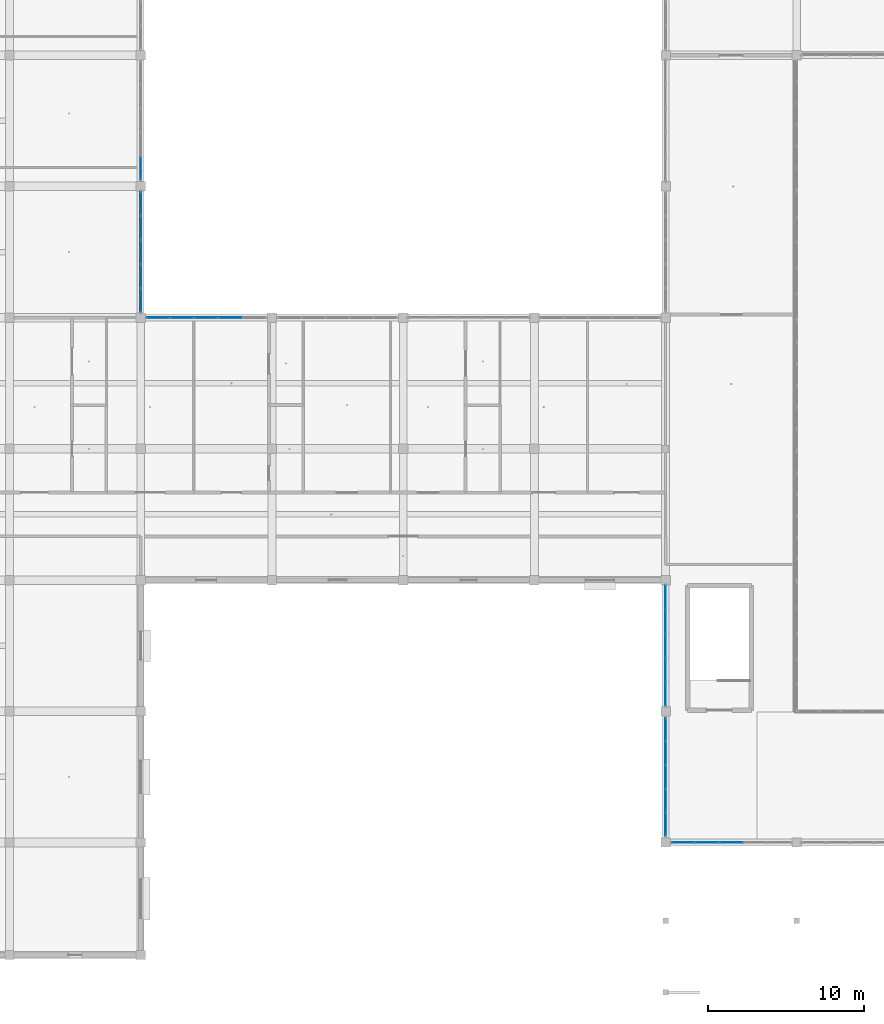
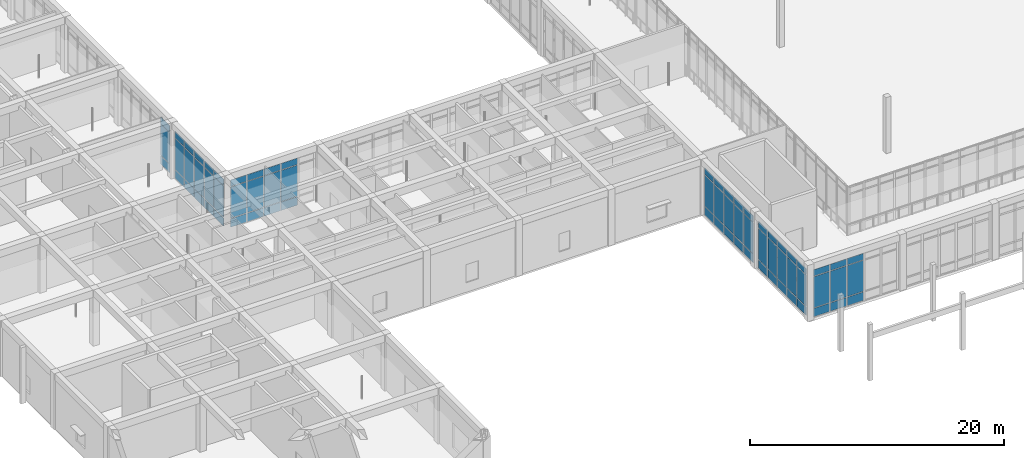
# One storey, part 55 of 157: 69 plates, 6 elements without a shape of their own.
"""IFC4 building model written with IfcOpenShell, lengths in metres."""

from ifc_helpers import new_model, si_unit, direction, frame, origin, origin_2d, place, context, subcontext, project, spatial, rectangle, extrude, material, layer, layer_set, type_object, element, aggregate, save


model = new_model("IFC4")

# Units and contexts
model_context = context("Model", 3, precision=1e-05, world=origin(), true_north=direction((0.0, 1.0)))
body_context = subcontext(model_context, "Body", "Model", "MODEL_VIEW")
ifc_project = project(units=[si_unit("LENGTHUNIT", "METRE"), si_unit("AREAUNIT", "SQUARE_METRE"), si_unit("VOLUMEUNIT", "CUBIC_METRE"), si_unit("PLANEANGLEUNIT", "RADIAN"), si_unit("MASSUNIT", "GRAM", prefix="KILO")], contexts=[model_context])

# Site, building, storey
site_placement = place(None, origin())
site = spatial("IfcSite", under=ifc_project, at=site_placement, CompositionType="ELEMENT")
building_placement = place(site_placement, origin())
building = spatial("IfcBuilding", under=site, at=building_placement, Name="Varncliffe General Hospital", CompositionType="ELEMENT")
storey_placement = place(building_placement, frame((0.0, 0.0, 5.39990234375)))
storey = spatial("IfcBuildingStorey", under=building, at=storey_placement, Name="L01", CompositionType="ELEMENT", Elevation=5.39990234375)

# Curtain wall, plates
ifc_material = material(Name="Triple low-E argon insulated vision glazing", Category="glass")
curtain_wall_type_1 = type_object("IfcCurtainWallType", Name="Unitised Glazed Curtain Wall CW70 (7724x4640)", PredefinedType="USERDEFINED", material=ifc_material)
curtain_wall_1_placement = place(storey_placement, origin())
curtain_wall_1 = element("IfcCurtainWall", 1, at=curtain_wall_1_placement, inside=storey, type_object=curtain_wall_type_1, Name="L01 Glazed Curtain Wall CW70-52", ObjectType="GLAZED CURTAIN WALL", PredefinedType="USERDEFINED")
ifc_layer_1 = layer(ifc_material, 0.0439453125)
ifc_layer_set_1 = layer_set([ifc_layer_1], Name="Triple low-E argon insulated vision glazing")
plate_type_1 = type_object("IfcPlateType", Name="Curtain Wall Glazing Panel CP12 (44mm)", PredefinedType="CURTAIN_PANEL", material=ifc_layer_set_1)
plate_1_placement = place(storey_placement, frame((63.0, 7.199951171875, 0.06005859375), z_axis=(0.0, 0.0, 1.0), x_axis=(-1.0, 0.0, 0.0)))
plate_1 = element("IfcPlate", 2, at=plate_1_placement, type_object=plate_type_1, Name="CW70 panel 3.1", PredefinedType="CURTAIN_PANEL", context=body_context, shape_type="SweptSolid", body=[
    extrude(rectangle(XDim=1.4697265625, YDim=0.0439453125, at=origin_2d()), origin(), (0.0, 0.0, 1.0), 0.81005859375),
])
plate_2_placement = place(storey_placement, frame((63.0, 7.199951171875, 0.93017578125), z_axis=(0.0, 0.0, 1.0), x_axis=(-1.0, 0.0, 0.0)))
plate_2 = element("IfcPlate", 3, at=plate_2_placement, type_object=plate_type_1, Name="CW70 panel 3.2", PredefinedType="CURTAIN_PANEL", context=body_context, shape_type="SweptSolid", body=[
    extrude(rectangle(XDim=1.4697265625, YDim=0.0439453125, at=origin_2d()), origin(), (0.0, 0.0, 1.0), 2.97998046875),
])
plate_3_placement = place(storey_placement, frame((63.0, 7.199951171875, 3.97021484375), z_axis=(0.0, 0.0, 1.0), x_axis=(-1.0, 0.0, 0.0)))
plate_3 = element("IfcPlate", 4, at=plate_3_placement, type_object=plate_type_1, Name="CW70 panel 3.3", PredefinedType="CURTAIN_PANEL", context=body_context, shape_type="SweptSolid", body=[
    extrude(rectangle(XDim=1.4697265625, YDim=0.0439453125, at=origin_2d()), origin(), (0.0, 0.0, 1.0), 0.610107421875),
])
plate_4_placement = place(storey_placement, frame((61.455078125, 7.199951171875, 0.06005859375), z_axis=(0.0, 0.0, 1.0), x_axis=(-1.0, 0.0, 0.0)))
plate_4 = element("IfcPlate", 5, at=plate_4_placement, type_object=plate_type_1, Name="CW70 panel 4.1", PredefinedType="CURTAIN_PANEL", context=body_context, shape_type="SweptSolid", body=[
    extrude(rectangle(XDim=1.4697265625, YDim=0.0439453125, at=origin_2d()), origin(), (0.0, 0.0, 1.0), 0.81005859375),
])
plate_5_placement = place(storey_placement, frame((61.455078125, 7.199951171875, 0.93017578125), z_axis=(0.0, 0.0, 1.0), x_axis=(-1.0, 0.0, 0.0)))
plate_5 = element("IfcPlate", 6, at=plate_5_placement, type_object=plate_type_1, Name="CW70 panel 4.2", PredefinedType="CURTAIN_PANEL", context=body_context, shape_type="SweptSolid", body=[
    extrude(rectangle(XDim=1.4697265625, YDim=0.0439453125, at=origin_2d()), origin(), (0.0, 0.0, 1.0), 2.97998046875),
])
plate_6_placement = place(storey_placement, frame((61.455078125, 7.199951171875, 3.97021484375), z_axis=(0.0, 0.0, 1.0), x_axis=(-1.0, 0.0, 0.0)))
plate_6 = element("IfcPlate", 7, at=plate_6_placement, type_object=plate_type_1, Name="CW70 panel 4.3", PredefinedType="CURTAIN_PANEL", context=body_context, shape_type="SweptSolid", body=[
    extrude(rectangle(XDim=1.4697265625, YDim=0.0439453125, at=origin_2d()), origin(), (0.0, 0.0, 1.0), 0.610107421875),
])
plate_7_placement = place(storey_placement, frame((59.92919921875, 7.199951171875, 0.06005859375), z_axis=(0.0, 0.0, 1.0), x_axis=(-1.0, 0.0, 0.0)))
plate_7 = element("IfcPlate", 8, at=plate_7_placement, type_object=plate_type_1, Name="CW70 panel 5.1", PredefinedType="CURTAIN_PANEL", context=body_context, shape_type="SweptSolid", body=[
    extrude(rectangle(XDim=1.432373046875, YDim=0.0439453125, at=origin_2d()), origin(), (0.0, 0.0, 1.0), 0.81005859375),
])
plate_8_placement = place(storey_placement, frame((59.92919921875, 7.199951171875, 0.93017578125), z_axis=(0.0, 0.0, 1.0), x_axis=(-1.0, 0.0, 0.0)))
plate_8 = element("IfcPlate", 9, at=plate_8_placement, type_object=plate_type_1, Name="CW70 panel 5.2", PredefinedType="CURTAIN_PANEL", context=body_context, shape_type="SweptSolid", body=[
    extrude(rectangle(XDim=1.432373046875, YDim=0.0439453125, at=origin_2d()), origin(), (0.0, 0.0, 1.0), 2.97998046875),
])
plate_9_placement = place(storey_placement, frame((59.92919921875, 7.199951171875, 3.97021484375), z_axis=(0.0, 0.0, 1.0), x_axis=(-1.0, 0.0, 0.0)))
plate_9 = element("IfcPlate", 10, at=plate_9_placement, type_object=plate_type_1, Name="CW70 panel 5.3", PredefinedType="CURTAIN_PANEL", context=body_context, shape_type="SweptSolid", body=[
    extrude(rectangle(XDim=1.432373046875, YDim=0.0439453125, at=origin_2d()), origin(), (0.0, 0.0, 1.0), 0.610107421875),
])
aggregate(curtain_wall_1, [plate_1, plate_2, plate_3, plate_4, plate_5, plate_6, plate_7, plate_8, plate_9])

curtain_wall_2_placement = place(storey_placement, origin())
curtain_wall_2 = element("IfcCurtainWall", 11, at=curtain_wall_2_placement, inside=storey, type_object=curtain_wall_type_1, Name="L01 Glazed Curtain Wall CW70-82", ObjectType="GLAZED CURTAIN WALL", PredefinedType="USERDEFINED")
plate_10_placement = place(storey_placement, frame((26.3291015625, 40.800048828125, 0.06005859375), z_axis=(0.0, 0.0, 1.0), x_axis=(1.0, 0.0, 0.0)))
plate_10 = element("IfcPlate", 12, at=plate_10_placement, type_object=plate_type_1, Name="CW70 panel 1.1", PredefinedType="CURTAIN_PANEL", context=body_context, shape_type="SweptSolid", body=[
    extrude(rectangle(XDim=1.432373046875, YDim=0.0439453125, at=origin_2d()), origin(), (0.0, 0.0, 1.0), 0.81005859375),
])
plate_11_placement = place(storey_placement, frame((26.3291015625, 40.800048828125, 0.93017578125), z_axis=(0.0, 0.0, 1.0), x_axis=(1.0, 0.0, 0.0)))
plate_11 = element("IfcPlate", 13, at=plate_11_placement, type_object=plate_type_1, Name="CW70 panel 1.2", PredefinedType="CURTAIN_PANEL", context=body_context, shape_type="SweptSolid", body=[
    extrude(rectangle(XDim=1.432373046875, YDim=0.0439453125, at=origin_2d()), origin(), (0.0, 0.0, 1.0), 2.97998046875),
])
plate_12_placement = place(storey_placement, frame((26.3291015625, 40.800048828125, 3.97021484375), z_axis=(0.0, 0.0, 1.0), x_axis=(1.0, 0.0, 0.0)))
plate_12 = element("IfcPlate", 14, at=plate_12_placement, type_object=plate_type_1, Name="CW70 panel 1.3", PredefinedType="CURTAIN_PANEL", context=body_context, shape_type="SweptSolid", body=[
    extrude(rectangle(XDim=1.432373046875, YDim=0.0439453125, at=origin_2d()), origin(), (0.0, 0.0, 1.0), 0.610107421875),
])
plate_13_placement = place(storey_placement, frame((27.855224609375, 40.800048828125, 0.06005859375), z_axis=(0.0, 0.0, 1.0), x_axis=(1.0, 0.0, 0.0)))
plate_13 = element("IfcPlate", 15, at=plate_13_placement, type_object=plate_type_1, Name="CW70 panel 2.1", PredefinedType="CURTAIN_PANEL", context=body_context, shape_type="SweptSolid", body=[
    extrude(rectangle(XDim=1.4697265625, YDim=0.0439453125, at=origin_2d()), origin(), (0.0, 0.0, 1.0), 0.81005859375),
])
plate_14_placement = place(storey_placement, frame((27.855224609375, 40.800048828125, 0.93017578125), z_axis=(0.0, 0.0, 1.0), x_axis=(1.0, 0.0, 0.0)))
plate_14 = element("IfcPlate", 16, at=plate_14_placement, type_object=plate_type_1, Name="CW70 panel 2.2", PredefinedType="CURTAIN_PANEL", context=body_context, shape_type="SweptSolid", body=[
    extrude(rectangle(XDim=1.4697265625, YDim=0.0439453125, at=origin_2d()), origin(), (0.0, 0.0, 1.0), 2.97998046875),
])
plate_15_placement = place(storey_placement, frame((27.855224609375, 40.800048828125, 3.97021484375), z_axis=(0.0, 0.0, 1.0), x_axis=(1.0, 0.0, 0.0)))
plate_15 = element("IfcPlate", 17, at=plate_15_placement, type_object=plate_type_1, Name="CW70 panel 2.3", PredefinedType="CURTAIN_PANEL", context=body_context, shape_type="SweptSolid", body=[
    extrude(rectangle(XDim=1.4697265625, YDim=0.0439453125, at=origin_2d()), origin(), (0.0, 0.0, 1.0), 0.610107421875),
])
plate_16_placement = place(storey_placement, frame((29.39990234375, 40.800048828125, 0.06005859375), z_axis=(0.0, 0.0, 1.0), x_axis=(1.0, 0.0, 0.0)))
plate_16 = element("IfcPlate", 18, at=plate_16_placement, type_object=plate_type_1, Name="CW70 panel 3.1", PredefinedType="CURTAIN_PANEL", context=body_context, shape_type="SweptSolid", body=[
    extrude(rectangle(XDim=1.4697265625, YDim=0.0439453125, at=origin_2d()), origin(), (0.0, 0.0, 1.0), 0.81005859375),
])
plate_17_placement = place(storey_placement, frame((29.39990234375, 40.800048828125, 0.93017578125), z_axis=(0.0, 0.0, 1.0), x_axis=(1.0, 0.0, 0.0)))
plate_17 = element("IfcPlate", 19, at=plate_17_placement, type_object=plate_type_1, Name="CW70 panel 3.2", PredefinedType="CURTAIN_PANEL", context=body_context, shape_type="SweptSolid", body=[
    extrude(rectangle(XDim=1.4697265625, YDim=0.0439453125, at=origin_2d()), origin(), (0.0, 0.0, 1.0), 2.97998046875),
])
plate_18_placement = place(storey_placement, frame((29.39990234375, 40.800048828125, 3.97021484375), z_axis=(0.0, 0.0, 1.0), x_axis=(1.0, 0.0, 0.0)))
plate_18 = element("IfcPlate", 20, at=plate_18_placement, type_object=plate_type_1, Name="CW70 panel 3.3", PredefinedType="CURTAIN_PANEL", context=body_context, shape_type="SweptSolid", body=[
    extrude(rectangle(XDim=1.4697265625, YDim=0.0439453125, at=origin_2d()), origin(), (0.0, 0.0, 1.0), 0.610107421875),
])
plate_19_placement = place(storey_placement, frame((30.94482421875, 40.800048828125, 0.06005859375), z_axis=(0.0, 0.0, 1.0), x_axis=(1.0, 0.0, 0.0)))
plate_19 = element("IfcPlate", 21, at=plate_19_placement, type_object=plate_type_1, Name="CW70 panel 4.1", PredefinedType="CURTAIN_PANEL", context=body_context, shape_type="SweptSolid", body=[
    extrude(rectangle(XDim=1.4697265625, YDim=0.0439453125, at=origin_2d()), origin(), (0.0, 0.0, 1.0), 0.81005859375),
])
plate_20_placement = place(storey_placement, frame((30.94482421875, 40.800048828125, 0.93017578125), z_axis=(0.0, 0.0, 1.0), x_axis=(1.0, 0.0, 0.0)))
plate_20 = element("IfcPlate", 22, at=plate_20_placement, type_object=plate_type_1, Name="CW70 panel 4.2", PredefinedType="CURTAIN_PANEL", context=body_context, shape_type="SweptSolid", body=[
    extrude(rectangle(XDim=1.4697265625, YDim=0.0439453125, at=origin_2d()), origin(), (0.0, 0.0, 1.0), 2.97998046875),
])
plate_21_placement = place(storey_placement, frame((30.94482421875, 40.800048828125, 3.97021484375), z_axis=(0.0, 0.0, 1.0), x_axis=(1.0, 0.0, 0.0)))
plate_21 = element("IfcPlate", 23, at=plate_21_placement, type_object=plate_type_1, Name="CW70 panel 4.3", PredefinedType="CURTAIN_PANEL", context=body_context, shape_type="SweptSolid", body=[
    extrude(rectangle(XDim=1.4697265625, YDim=0.0439453125, at=origin_2d()), origin(), (0.0, 0.0, 1.0), 0.610107421875),
])
aggregate(curtain_wall_2, [plate_10, plate_11, plate_12, plate_13, plate_14, plate_15, plate_16, plate_17, plate_18, plate_19, plate_20, plate_21])

curtain_wall_type_2 = type_object("IfcCurtainWallType", Name="Unitised Glazed Curtain Wall CW85 (7804x4640)", PredefinedType="USERDEFINED", material=ifc_material)
curtain_wall_3_placement = place(storey_placement, origin())
curtain_wall_3 = element("IfcCurtainWall", 24, at=curtain_wall_3_placement, inside=storey, type_object=curtain_wall_type_2, Name="L01 Glazed Curtain Wall CW85-54", ObjectType="GLAZED CURTAIN WALL", PredefinedType="USERDEFINED")
ifc_layer_2 = layer(ifc_material, 0.035888671875)
ifc_layer_set_2 = layer_set([ifc_layer_2], Name="Triple low-E argon insulated vision glazing")
plate_type_2 = type_object("IfcPlateType", Name="Curtain Wall Glazing Panel CP27 (36mm)", PredefinedType="CURTAIN_PANEL", material=ifc_layer_set_2)
plate_22_placement = place(storey_placement, frame((58.800048828125, 16.697265625, 0.06494140625), z_axis=(0.0, 0.0, 1.0), x_axis=(0.0, 1.0, 0.0)))
plate_22 = element("IfcPlate", 25, at=plate_22_placement, type_object=plate_type_2, Name="CW85 panel 1.1", PredefinedType="CURTAIN_PANEL", context=body_context, shape_type="SweptSolid", body=[
    extrude(rectangle(XDim=1.4482421875, YDim=0.035888671875, at=origin_2d()), origin(), (0.0, 0.0, 1.0), 0.802490234375),
])
plate_23_placement = place(storey_placement, frame((58.800048828125, 16.697265625, 0.9326171875), z_axis=(0.0, 0.0, 1.0), x_axis=(0.0, 1.0, 0.0)))
plate_23 = element("IfcPlate", 26, at=plate_23_placement, type_object=plate_type_2, Name="CW85 panel 1.2", PredefinedType="CURTAIN_PANEL", context=body_context, shape_type="SweptSolid", body=[
    extrude(rectangle(XDim=1.4482421875, YDim=0.035888671875, at=origin_2d()), origin(), (0.0, 0.0, 1.0), 2.97509765625),
])
plate_24_placement = place(storey_placement, frame((58.800048828125, 16.697265625, 3.97265625), z_axis=(0.0, 0.0, 1.0), x_axis=(0.0, 1.0, 0.0)))
plate_24 = element("IfcPlate", 27, at=plate_24_placement, type_object=plate_type_2, Name="CW85 panel 1.3", PredefinedType="CURTAIN_PANEL", context=body_context, shape_type="SweptSolid", body=[
    extrude(rectangle(XDim=1.4482421875, YDim=0.035888671875, at=origin_2d()), origin(), (0.0, 0.0, 1.0), 0.6025390625),
])
plate_25_placement = place(storey_placement, frame((58.800048828125, 18.2392578125, 0.06494140625), z_axis=(0.0, 0.0, 1.0), x_axis=(0.0, 1.0, 0.0)))
plate_25 = element("IfcPlate", 28, at=plate_25_placement, type_object=plate_type_2, Name="CW85 panel 2.1", PredefinedType="CURTAIN_PANEL", context=body_context, shape_type="SweptSolid", body=[
    extrude(rectangle(XDim=1.48583984375, YDim=0.035888671875, at=origin_2d()), origin(), (0.0, 0.0, 1.0), 0.802490234375),
])
plate_26_placement = place(storey_placement, frame((58.800048828125, 18.2392578125, 0.9326171875), z_axis=(0.0, 0.0, 1.0), x_axis=(0.0, 1.0, 0.0)))
plate_26 = element("IfcPlate", 29, at=plate_26_placement, type_object=plate_type_2, Name="CW85 panel 2.2", PredefinedType="CURTAIN_PANEL", context=body_context, shape_type="SweptSolid", body=[
    extrude(rectangle(XDim=1.48583984375, YDim=0.035888671875, at=origin_2d()), origin(), (0.0, 0.0, 1.0), 2.97509765625),
])
plate_27_placement = place(storey_placement, frame((58.800048828125, 18.2392578125, 3.97265625), z_axis=(0.0, 0.0, 1.0), x_axis=(0.0, 1.0, 0.0)))
plate_27 = element("IfcPlate", 30, at=plate_27_placement, type_object=plate_type_2, Name="CW85 panel 2.3", PredefinedType="CURTAIN_PANEL", context=body_context, shape_type="SweptSolid", body=[
    extrude(rectangle(XDim=1.48583984375, YDim=0.035888671875, at=origin_2d()), origin(), (0.0, 0.0, 1.0), 0.6025390625),
])
plate_28_placement = place(storey_placement, frame((58.800048828125, 19.800048828125, 0.06494140625), z_axis=(0.0, 0.0, 1.0), x_axis=(0.0, 1.0, 0.0)))
plate_28 = element("IfcPlate", 31, at=plate_28_placement, type_object=plate_type_2, Name="CW85 panel 3.1", PredefinedType="CURTAIN_PANEL", context=body_context, shape_type="SweptSolid", body=[
    extrude(rectangle(XDim=1.48583984375, YDim=0.035888671875, at=origin_2d()), origin(), (0.0, 0.0, 1.0), 0.802490234375),
])
plate_29_placement = place(storey_placement, frame((58.800048828125, 19.800048828125, 0.9326171875), z_axis=(0.0, 0.0, 1.0), x_axis=(0.0, 1.0, 0.0)))
plate_29 = element("IfcPlate", 32, at=plate_29_placement, type_object=plate_type_2, Name="CW85 panel 3.2", PredefinedType="CURTAIN_PANEL", context=body_context, shape_type="SweptSolid", body=[
    extrude(rectangle(XDim=1.48583984375, YDim=0.035888671875, at=origin_2d()), origin(), (0.0, 0.0, 1.0), 2.97509765625),
])
plate_30_placement = place(storey_placement, frame((58.800048828125, 19.800048828125, 3.97265625), z_axis=(0.0, 0.0, 1.0), x_axis=(0.0, 1.0, 0.0)))
plate_30 = element("IfcPlate", 33, at=plate_30_placement, type_object=plate_type_2, Name="CW85 panel 3.3", PredefinedType="CURTAIN_PANEL", context=body_context, shape_type="SweptSolid", body=[
    extrude(rectangle(XDim=1.48583984375, YDim=0.035888671875, at=origin_2d()), origin(), (0.0, 0.0, 1.0), 0.6025390625),
])
plate_31_placement = place(storey_placement, frame((58.800048828125, 21.36083984375, 0.06494140625), z_axis=(0.0, 0.0, 1.0), x_axis=(0.0, 1.0, 0.0)))
plate_31 = element("IfcPlate", 34, at=plate_31_placement, type_object=plate_type_2, Name="CW85 panel 4.1", PredefinedType="CURTAIN_PANEL", context=body_context, shape_type="SweptSolid", body=[
    extrude(rectangle(XDim=1.48583984375, YDim=0.035888671875, at=origin_2d()), origin(), (0.0, 0.0, 1.0), 0.802490234375),
])
plate_32_placement = place(storey_placement, frame((58.800048828125, 21.36083984375, 0.9326171875), z_axis=(0.0, 0.0, 1.0), x_axis=(0.0, 1.0, 0.0)))
plate_32 = element("IfcPlate", 35, at=plate_32_placement, type_object=plate_type_2, Name="CW85 panel 4.2", PredefinedType="CURTAIN_PANEL", context=body_context, shape_type="SweptSolid", body=[
    extrude(rectangle(XDim=1.48583984375, YDim=0.035888671875, at=origin_2d()), origin(), (0.0, 0.0, 1.0), 2.97509765625),
])
plate_33_placement = place(storey_placement, frame((58.800048828125, 21.36083984375, 3.97265625), z_axis=(0.0, 0.0, 1.0), x_axis=(0.0, 1.0, 0.0)))
plate_33 = element("IfcPlate", 36, at=plate_33_placement, type_object=plate_type_2, Name="CW85 panel 4.3", PredefinedType="CURTAIN_PANEL", context=body_context, shape_type="SweptSolid", body=[
    extrude(rectangle(XDim=1.48583984375, YDim=0.035888671875, at=origin_2d()), origin(), (0.0, 0.0, 1.0), 0.6025390625),
])
plate_34_placement = place(storey_placement, frame((58.800048828125, 22.90283203125, 0.06494140625), z_axis=(0.0, 0.0, 1.0), x_axis=(0.0, 1.0, 0.0)))
plate_34 = element("IfcPlate", 37, at=plate_34_placement, type_object=plate_type_2, Name="CW85 panel 5.1", PredefinedType="CURTAIN_PANEL", context=body_context, shape_type="SweptSolid", body=[
    extrude(rectangle(XDim=1.4482421875, YDim=0.035888671875, at=origin_2d()), origin(), (0.0, 0.0, 1.0), 0.802490234375),
])
plate_35_placement = place(storey_placement, frame((58.800048828125, 22.90283203125, 0.9326171875), z_axis=(0.0, 0.0, 1.0), x_axis=(0.0, 1.0, 0.0)))
plate_35 = element("IfcPlate", 38, at=plate_35_placement, type_object=plate_type_2, Name="CW85 panel 5.2", PredefinedType="CURTAIN_PANEL", context=body_context, shape_type="SweptSolid", body=[
    extrude(rectangle(XDim=1.4482421875, YDim=0.035888671875, at=origin_2d()), origin(), (0.0, 0.0, 1.0), 2.97509765625),
])
plate_36_placement = place(storey_placement, frame((58.800048828125, 22.90283203125, 3.97265625), z_axis=(0.0, 0.0, 1.0), x_axis=(0.0, 1.0, 0.0)))
plate_36 = element("IfcPlate", 39, at=plate_36_placement, type_object=plate_type_2, Name="CW85 panel 5.3", PredefinedType="CURTAIN_PANEL", context=body_context, shape_type="SweptSolid", body=[
    extrude(rectangle(XDim=1.4482421875, YDim=0.035888671875, at=origin_2d()), origin(), (0.0, 0.0, 1.0), 0.6025390625),
])
aggregate(curtain_wall_3, [plate_22, plate_23, plate_24, plate_25, plate_26, plate_27, plate_28, plate_29, plate_30, plate_31, plate_32, plate_33, plate_34, plate_35, plate_36])

curtain_wall_4_placement = place(storey_placement, origin())
curtain_wall_4 = element("IfcCurtainWall", 40, at=curtain_wall_4_placement, inside=storey, type_object=curtain_wall_type_2, Name="L01 Glazed Curtain Wall CW85-81", ObjectType="GLAZED CURTAIN WALL", PredefinedType="USERDEFINED")
plate_37_placement = place(storey_placement, frame((25.199951171875, 48.102783203125, 0.06494140625), z_axis=(0.0, 0.0, 1.0), x_axis=(0.0, -1.0, 0.0)))
plate_37 = element("IfcPlate", 41, at=plate_37_placement, type_object=plate_type_2, Name="CW85 panel 1.1", PredefinedType="CURTAIN_PANEL", context=body_context, shape_type="SweptSolid", body=[
    extrude(rectangle(XDim=1.4482421875, YDim=0.035888671875, at=origin_2d()), origin(), (0.0, 0.0, 1.0), 0.802490234375),
])
plate_38_placement = place(storey_placement, frame((25.199951171875, 48.102783203125, 0.9326171875), z_axis=(0.0, 0.0, 1.0), x_axis=(0.0, -1.0, 0.0)))
plate_38 = element("IfcPlate", 42, at=plate_38_placement, type_object=plate_type_2, Name="CW85 panel 1.2", PredefinedType="CURTAIN_PANEL", context=body_context, shape_type="SweptSolid", body=[
    extrude(rectangle(XDim=1.4482421875, YDim=0.035888671875, at=origin_2d()), origin(), (0.0, 0.0, 1.0), 2.97509765625),
])
plate_39_placement = place(storey_placement, frame((25.199951171875, 48.102783203125, 3.97265625), z_axis=(0.0, 0.0, 1.0), x_axis=(0.0, -1.0, 0.0)))
plate_39 = element("IfcPlate", 43, at=plate_39_placement, type_object=plate_type_2, Name="CW85 panel 1.3", PredefinedType="CURTAIN_PANEL", context=body_context, shape_type="SweptSolid", body=[
    extrude(rectangle(XDim=1.4482421875, YDim=0.035888671875, at=origin_2d()), origin(), (0.0, 0.0, 1.0), 0.6025390625),
])
plate_40_placement = place(storey_placement, frame((25.199951171875, 46.560791015625, 0.06494140625), z_axis=(0.0, 0.0, 1.0), x_axis=(0.0, -1.0, 0.0)))
plate_40 = element("IfcPlate", 44, at=plate_40_placement, type_object=plate_type_2, Name="CW85 panel 2.1", PredefinedType="CURTAIN_PANEL", context=body_context, shape_type="SweptSolid", body=[
    extrude(rectangle(XDim=1.48583984375, YDim=0.035888671875, at=origin_2d()), origin(), (0.0, 0.0, 1.0), 0.802490234375),
])
plate_41_placement = place(storey_placement, frame((25.199951171875, 46.560791015625, 0.9326171875), z_axis=(0.0, 0.0, 1.0), x_axis=(0.0, -1.0, 0.0)))
plate_41 = element("IfcPlate", 45, at=plate_41_placement, type_object=plate_type_2, Name="CW85 panel 2.2", PredefinedType="CURTAIN_PANEL", context=body_context, shape_type="SweptSolid", body=[
    extrude(rectangle(XDim=1.48583984375, YDim=0.035888671875, at=origin_2d()), origin(), (0.0, 0.0, 1.0), 2.97509765625),
])
plate_42_placement = place(storey_placement, frame((25.199951171875, 46.560791015625, 3.97265625), z_axis=(0.0, 0.0, 1.0), x_axis=(0.0, -1.0, 0.0)))
plate_42 = element("IfcPlate", 46, at=plate_42_placement, type_object=plate_type_2, Name="CW85 panel 2.3", PredefinedType="CURTAIN_PANEL", context=body_context, shape_type="SweptSolid", body=[
    extrude(rectangle(XDim=1.48583984375, YDim=0.035888671875, at=origin_2d()), origin(), (0.0, 0.0, 1.0), 0.6025390625),
])
plate_43_placement = place(storey_placement, frame((25.199951171875, 45.0, 0.06494140625), z_axis=(0.0, 0.0, 1.0), x_axis=(0.0, -1.0, 0.0)))
plate_43 = element("IfcPlate", 47, at=plate_43_placement, type_object=plate_type_2, Name="CW85 panel 3.1", PredefinedType="CURTAIN_PANEL", context=body_context, shape_type="SweptSolid", body=[
    extrude(rectangle(XDim=1.48583984375, YDim=0.035888671875, at=origin_2d()), origin(), (0.0, 0.0, 1.0), 0.802490234375),
])
plate_44_placement = place(storey_placement, frame((25.199951171875, 45.0, 0.9326171875), z_axis=(0.0, 0.0, 1.0), x_axis=(0.0, -1.0, 0.0)))
plate_44 = element("IfcPlate", 48, at=plate_44_placement, type_object=plate_type_2, Name="CW85 panel 3.2", PredefinedType="CURTAIN_PANEL", context=body_context, shape_type="SweptSolid", body=[
    extrude(rectangle(XDim=1.48583984375, YDim=0.035888671875, at=origin_2d()), origin(), (0.0, 0.0, 1.0), 2.97509765625),
])
plate_45_placement = place(storey_placement, frame((25.199951171875, 45.0, 3.97265625), z_axis=(0.0, 0.0, 1.0), x_axis=(0.0, -1.0, 0.0)))
plate_45 = element("IfcPlate", 49, at=plate_45_placement, type_object=plate_type_2, Name="CW85 panel 3.3", PredefinedType="CURTAIN_PANEL", context=body_context, shape_type="SweptSolid", body=[
    extrude(rectangle(XDim=1.48583984375, YDim=0.035888671875, at=origin_2d()), origin(), (0.0, 0.0, 1.0), 0.6025390625),
])
plate_46_placement = place(storey_placement, frame((25.199951171875, 43.439208984375, 0.06494140625), z_axis=(0.0, 0.0, 1.0), x_axis=(0.0, -1.0, 0.0)))
plate_46 = element("IfcPlate", 50, at=plate_46_placement, type_object=plate_type_2, Name="CW85 panel 4.1", PredefinedType="CURTAIN_PANEL", context=body_context, shape_type="SweptSolid", body=[
    extrude(rectangle(XDim=1.48583984375, YDim=0.035888671875, at=origin_2d()), origin(), (0.0, 0.0, 1.0), 0.802490234375),
])
plate_47_placement = place(storey_placement, frame((25.199951171875, 43.439208984375, 0.9326171875), z_axis=(0.0, 0.0, 1.0), x_axis=(0.0, -1.0, 0.0)))
plate_47 = element("IfcPlate", 51, at=plate_47_placement, type_object=plate_type_2, Name="CW85 panel 4.2", PredefinedType="CURTAIN_PANEL", context=body_context, shape_type="SweptSolid", body=[
    extrude(rectangle(XDim=1.48583984375, YDim=0.035888671875, at=origin_2d()), origin(), (0.0, 0.0, 1.0), 2.97509765625),
])
plate_48_placement = place(storey_placement, frame((25.199951171875, 43.439208984375, 3.97265625), z_axis=(0.0, 0.0, 1.0), x_axis=(0.0, -1.0, 0.0)))
plate_48 = element("IfcPlate", 52, at=plate_48_placement, type_object=plate_type_2, Name="CW85 panel 4.3", PredefinedType="CURTAIN_PANEL", context=body_context, shape_type="SweptSolid", body=[
    extrude(rectangle(XDim=1.48583984375, YDim=0.035888671875, at=origin_2d()), origin(), (0.0, 0.0, 1.0), 0.6025390625),
])
plate_49_placement = place(storey_placement, frame((25.199951171875, 41.897216796875, 0.06494140625), z_axis=(0.0, 0.0, 1.0), x_axis=(0.0, -1.0, 0.0)))
plate_49 = element("IfcPlate", 53, at=plate_49_placement, type_object=plate_type_2, Name="CW85 panel 5.1", PredefinedType="CURTAIN_PANEL", context=body_context, shape_type="SweptSolid", body=[
    extrude(rectangle(XDim=1.4482421875, YDim=0.035888671875, at=origin_2d()), origin(), (0.0, 0.0, 1.0), 0.802490234375),
])
plate_50_placement = place(storey_placement, frame((25.199951171875, 41.897216796875, 0.9326171875), z_axis=(0.0, 0.0, 1.0), x_axis=(0.0, -1.0, 0.0)))
plate_50 = element("IfcPlate", 54, at=plate_50_placement, type_object=plate_type_2, Name="CW85 panel 5.2", PredefinedType="CURTAIN_PANEL", context=body_context, shape_type="SweptSolid", body=[
    extrude(rectangle(XDim=1.4482421875, YDim=0.035888671875, at=origin_2d()), origin(), (0.0, 0.0, 1.0), 2.97509765625),
])
plate_51_placement = place(storey_placement, frame((25.199951171875, 41.897216796875, 3.97265625), z_axis=(0.0, 0.0, 1.0), x_axis=(0.0, -1.0, 0.0)))
plate_51 = element("IfcPlate", 55, at=plate_51_placement, type_object=plate_type_2, Name="CW85 panel 5.3", PredefinedType="CURTAIN_PANEL", context=body_context, shape_type="SweptSolid", body=[
    extrude(rectangle(XDim=1.4482421875, YDim=0.035888671875, at=origin_2d()), origin(), (0.0, 0.0, 1.0), 0.6025390625),
])
aggregate(curtain_wall_4, [plate_37, plate_38, plate_39, plate_40, plate_41, plate_42, plate_43, plate_44, plate_45, plate_46, plate_47, plate_48, plate_49, plate_50, plate_51])

curtain_wall_type_3 = type_object("IfcCurtainWallType", Name="Unitised Glazed Curtain Wall CW27 (7644x4640)", PredefinedType="USERDEFINED", material=ifc_material)
curtain_wall_5_placement = place(storey_placement, origin())
curtain_wall_5 = element("IfcCurtainWall", 56, at=curtain_wall_5_placement, inside=storey, type_object=curtain_wall_type_3, Name="L01 Glazed Curtain Wall CW27-53", ObjectType="GLAZED CURTAIN WALL", PredefinedType="USERDEFINED")
ifc_layer_3 = layer(ifc_material, 0.028076171875)
ifc_layer_set_3 = layer_set([ifc_layer_3], Name="Triple low-E argon insulated vision glazing")
plate_type_3 = type_object("IfcPlateType", Name="Curtain Wall Glazing Panel CP48 (28mm)", PredefinedType="CURTAIN_PANEL", material=ifc_layer_set_3)
plate_52_placement = place(storey_placement, frame((58.800048828125, 8.358642578125, 0.06005859375), z_axis=(0.0, 0.0, 1.0), x_axis=(0.0, 1.0, 0.0)))
plate_52 = element("IfcPlate", 57, at=plate_52_placement, type_object=plate_type_3, Name="CW27 panel 1.1", PredefinedType="CURTAIN_PANEL", context=body_context, shape_type="SweptSolid", body=[
    extrude(rectangle(XDim=1.431396484375, YDim=0.028076171875, at=origin_2d()), origin(), (0.0, 0.0, 1.0), 0.81005859375),
])
plate_53_placement = place(storey_placement, frame((58.800048828125, 8.358642578125, 0.93017578125), z_axis=(0.0, 0.0, 1.0), x_axis=(0.0, 1.0, 0.0)))
plate_53 = element("IfcPlate", 58, at=plate_53_placement, type_object=plate_type_3, Name="CW27 panel 1.2", PredefinedType="CURTAIN_PANEL", context=body_context, shape_type="SweptSolid", body=[
    extrude(rectangle(XDim=1.431396484375, YDim=0.028076171875, at=origin_2d()), origin(), (0.0, 0.0, 1.0), 2.97998046875),
])
plate_54_placement = place(storey_placement, frame((58.800048828125, 8.358642578125, 3.97021484375), z_axis=(0.0, 0.0, 1.0), x_axis=(0.0, 1.0, 0.0)))
plate_54 = element("IfcPlate", 59, at=plate_54_placement, type_object=plate_type_3, Name="CW27 panel 1.3", PredefinedType="CURTAIN_PANEL", context=body_context, shape_type="SweptSolid", body=[
    extrude(rectangle(XDim=1.431396484375, YDim=0.028076171875, at=origin_2d()), origin(), (0.0, 0.0, 1.0), 0.610107421875),
])
plate_55_placement = place(storey_placement, frame((58.800048828125, 9.87109375, 0.06005859375), z_axis=(0.0, 0.0, 1.0), x_axis=(0.0, 1.0, 0.0)))
plate_55 = element("IfcPlate", 60, at=plate_55_placement, type_object=plate_type_3, Name="CW27 panel 2.1", PredefinedType="CURTAIN_PANEL", context=body_context, shape_type="SweptSolid", body=[
    extrude(rectangle(XDim=1.4638671875, YDim=0.028076171875, at=origin_2d()), origin(), (0.0, 0.0, 1.0), 0.81005859375),
])
plate_56_placement = place(storey_placement, frame((58.800048828125, 9.87109375, 0.93017578125), z_axis=(0.0, 0.0, 1.0), x_axis=(0.0, 1.0, 0.0)))
plate_56 = element("IfcPlate", 61, at=plate_56_placement, type_object=plate_type_3, Name="CW27 panel 2.2", PredefinedType="CURTAIN_PANEL", context=body_context, shape_type="SweptSolid", body=[
    extrude(rectangle(XDim=1.4638671875, YDim=0.028076171875, at=origin_2d()), origin(), (0.0, 0.0, 1.0), 2.97998046875),
])
plate_57_placement = place(storey_placement, frame((58.800048828125, 9.87109375, 3.97021484375), z_axis=(0.0, 0.0, 1.0), x_axis=(0.0, 1.0, 0.0)))
plate_57 = element("IfcPlate", 62, at=plate_57_placement, type_object=plate_type_3, Name="CW27 panel 2.3", PredefinedType="CURTAIN_PANEL", context=body_context, shape_type="SweptSolid", body=[
    extrude(rectangle(XDim=1.4638671875, YDim=0.028076171875, at=origin_2d()), origin(), (0.0, 0.0, 1.0), 0.610107421875),
])
plate_58_placement = place(storey_placement, frame((58.800048828125, 11.39990234375, 0.06005859375), z_axis=(0.0, 0.0, 1.0), x_axis=(0.0, 1.0, 0.0)))
plate_58 = element("IfcPlate", 63, at=plate_58_placement, type_object=plate_type_3, Name="CW27 panel 3.1", PredefinedType="CURTAIN_PANEL", context=body_context, shape_type="SweptSolid", body=[
    extrude(rectangle(XDim=1.4638671875, YDim=0.028076171875, at=origin_2d()), origin(), (0.0, 0.0, 1.0), 0.81005859375),
])
plate_59_placement = place(storey_placement, frame((58.800048828125, 11.39990234375, 0.93017578125), z_axis=(0.0, 0.0, 1.0), x_axis=(0.0, 1.0, 0.0)))
plate_59 = element("IfcPlate", 64, at=plate_59_placement, type_object=plate_type_3, Name="CW27 panel 3.2", PredefinedType="CURTAIN_PANEL", context=body_context, shape_type="SweptSolid", body=[
    extrude(rectangle(XDim=1.4638671875, YDim=0.028076171875, at=origin_2d()), origin(), (0.0, 0.0, 1.0), 2.97998046875),
])
plate_60_placement = place(storey_placement, frame((58.800048828125, 11.39990234375, 3.97021484375), z_axis=(0.0, 0.0, 1.0), x_axis=(0.0, 1.0, 0.0)))
plate_60 = element("IfcPlate", 65, at=plate_60_placement, type_object=plate_type_3, Name="CW27 panel 3.3", PredefinedType="CURTAIN_PANEL", context=body_context, shape_type="SweptSolid", body=[
    extrude(rectangle(XDim=1.4638671875, YDim=0.028076171875, at=origin_2d()), origin(), (0.0, 0.0, 1.0), 0.610107421875),
])
plate_61_placement = place(storey_placement, frame((58.800048828125, 12.9287109375, 0.06005859375), z_axis=(0.0, 0.0, 1.0), x_axis=(0.0, 1.0, 0.0)))
plate_61 = element("IfcPlate", 66, at=plate_61_placement, type_object=plate_type_3, Name="CW27 panel 4.1", PredefinedType="CURTAIN_PANEL", context=body_context, shape_type="SweptSolid", body=[
    extrude(rectangle(XDim=1.4638671875, YDim=0.028076171875, at=origin_2d()), origin(), (0.0, 0.0, 1.0), 0.81005859375),
])
plate_62_placement = place(storey_placement, frame((58.800048828125, 12.9287109375, 0.93017578125), z_axis=(0.0, 0.0, 1.0), x_axis=(0.0, 1.0, 0.0)))
plate_62 = element("IfcPlate", 67, at=plate_62_placement, type_object=plate_type_3, Name="CW27 panel 4.2", PredefinedType="CURTAIN_PANEL", context=body_context, shape_type="SweptSolid", body=[
    extrude(rectangle(XDim=1.4638671875, YDim=0.028076171875, at=origin_2d()), origin(), (0.0, 0.0, 1.0), 2.97998046875),
])
plate_63_placement = place(storey_placement, frame((58.800048828125, 12.9287109375, 3.97021484375), z_axis=(0.0, 0.0, 1.0), x_axis=(0.0, 1.0, 0.0)))
plate_63 = element("IfcPlate", 68, at=plate_63_placement, type_object=plate_type_3, Name="CW27 panel 4.3", PredefinedType="CURTAIN_PANEL", context=body_context, shape_type="SweptSolid", body=[
    extrude(rectangle(XDim=1.4638671875, YDim=0.028076171875, at=origin_2d()), origin(), (0.0, 0.0, 1.0), 0.610107421875),
])
plate_64_placement = place(storey_placement, frame((58.800048828125, 14.44140625, 0.06005859375), z_axis=(0.0, 0.0, 1.0), x_axis=(0.0, 1.0, 0.0)))
plate_64 = element("IfcPlate", 69, at=plate_64_placement, type_object=plate_type_3, Name="CW27 panel 5.1", PredefinedType="CURTAIN_PANEL", context=body_context, shape_type="SweptSolid", body=[
    extrude(rectangle(XDim=1.431396484375, YDim=0.028076171875, at=origin_2d()), origin(), (0.0, 0.0, 1.0), 0.81005859375),
])
plate_65_placement = place(storey_placement, frame((58.800048828125, 14.44140625, 0.93017578125), z_axis=(0.0, 0.0, 1.0), x_axis=(0.0, 1.0, 0.0)))
plate_65 = element("IfcPlate", 70, at=plate_65_placement, type_object=plate_type_3, Name="CW27 panel 5.2", PredefinedType="CURTAIN_PANEL", context=body_context, shape_type="SweptSolid", body=[
    extrude(rectangle(XDim=1.431396484375, YDim=0.028076171875, at=origin_2d()), origin(), (0.0, 0.0, 1.0), 2.97998046875),
])
plate_66_placement = place(storey_placement, frame((58.800048828125, 14.44140625, 3.97021484375), z_axis=(0.0, 0.0, 1.0), x_axis=(0.0, 1.0, 0.0)))
plate_66 = element("IfcPlate", 71, at=plate_66_placement, type_object=plate_type_3, Name="CW27 panel 5.3", PredefinedType="CURTAIN_PANEL", context=body_context, shape_type="SweptSolid", body=[
    extrude(rectangle(XDim=1.431396484375, YDim=0.028076171875, at=origin_2d()), origin(), (0.0, 0.0, 1.0), 0.610107421875),
])
aggregate(curtain_wall_5, [plate_52, plate_53, plate_54, plate_55, plate_56, plate_57, plate_58, plate_59, plate_60, plate_61, plate_62, plate_63, plate_64, plate_65, plate_66])

curtain_wall_6_placement = place(storey_placement, origin())
curtain_wall_6 = element("IfcCurtainWall", 72, at=curtain_wall_6_placement, inside=storey, type_object=curtain_wall_type_3, Name="L01 Glazed Curtain Wall CW27-80", ObjectType="GLAZED CURTAIN WALL", PredefinedType="USERDEFINED")
plate_67_placement = place(storey_placement, frame((25.199951171875, 50.358642578125, 0.06005859375), z_axis=(0.0, 0.0, 1.0), x_axis=(0.0, -1.0, 0.0)))
plate_67 = element("IfcPlate", 73, at=plate_67_placement, type_object=plate_type_3, Name="CW27 panel 5.1", PredefinedType="CURTAIN_PANEL", context=body_context, shape_type="SweptSolid", body=[
    extrude(rectangle(XDim=1.431396484375, YDim=0.028076171875, at=origin_2d()), origin(), (0.0, 0.0, 1.0), 0.81005859375),
])
plate_68_placement = place(storey_placement, frame((25.199951171875, 50.358642578125, 0.93017578125), z_axis=(0.0, 0.0, 1.0), x_axis=(0.0, -1.0, 0.0)))
plate_68 = element("IfcPlate", 74, at=plate_68_placement, type_object=plate_type_3, Name="CW27 panel 5.2", PredefinedType="CURTAIN_PANEL", context=body_context, shape_type="SweptSolid", body=[
    extrude(rectangle(XDim=1.431396484375, YDim=0.028076171875, at=origin_2d()), origin(), (0.0, 0.0, 1.0), 2.97998046875),
])
plate_69_placement = place(storey_placement, frame((25.199951171875, 50.358642578125, 3.97021484375), z_axis=(0.0, 0.0, 1.0), x_axis=(0.0, -1.0, 0.0)))
plate_69 = element("IfcPlate", 75, at=plate_69_placement, type_object=plate_type_3, Name="CW27 panel 5.3", PredefinedType="CURTAIN_PANEL", context=body_context, shape_type="SweptSolid", body=[
    extrude(rectangle(XDim=1.431396484375, YDim=0.028076171875, at=origin_2d()), origin(), (0.0, 0.0, 1.0), 0.610107421875),
])
aggregate(curtain_wall_6, [plate_67, plate_68, plate_69])

save(model, "model.ifc")
